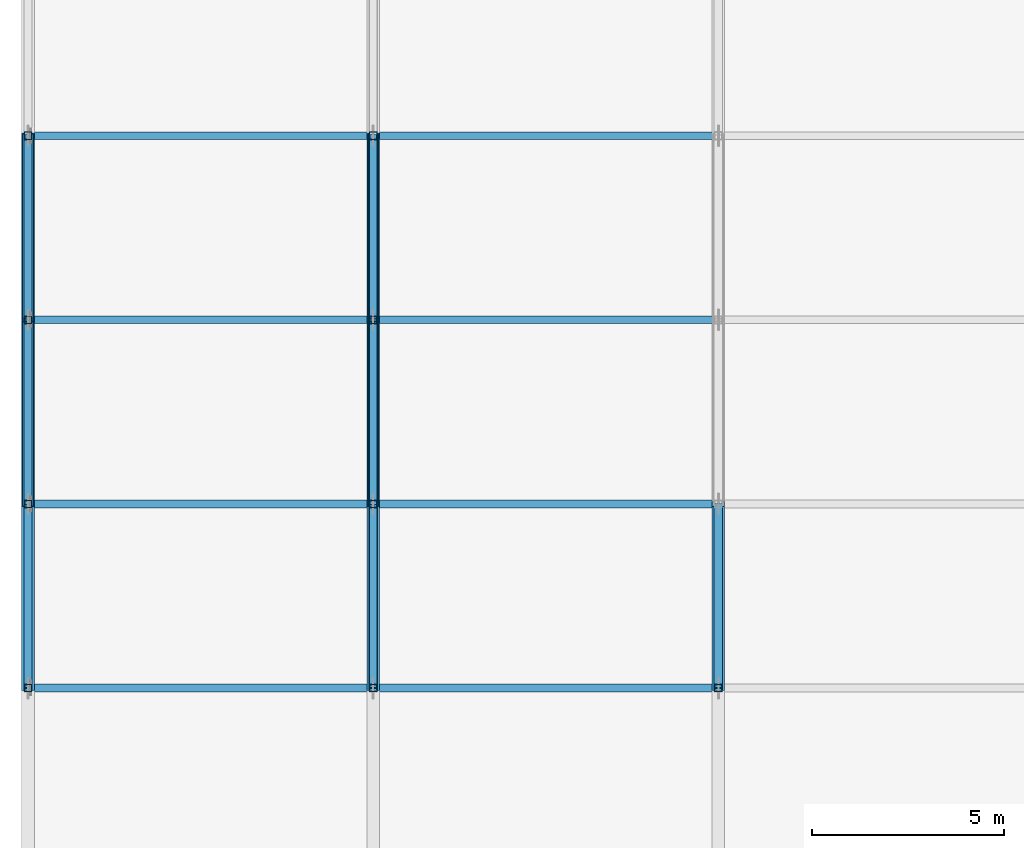
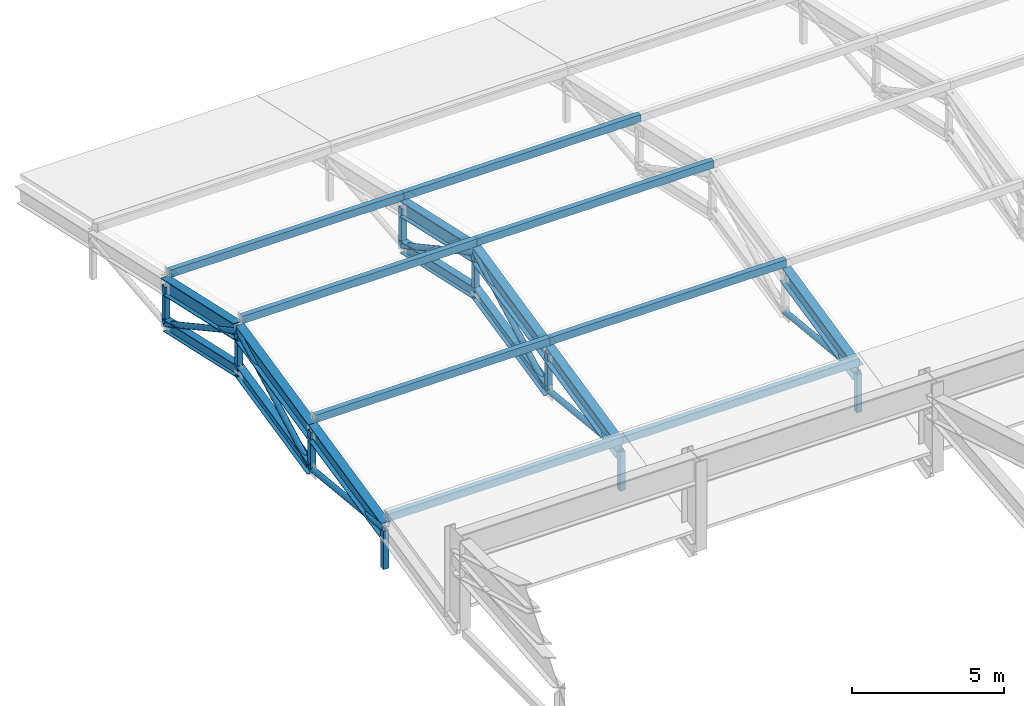
# One storey, part 24 of 151: 35 members.
"""IFC4 building model written with IfcOpenShell, lengths in metres."""

from ifc_helpers import new_model, si_unit, direction, frame, origin, origin_2d, place, context, subcontext, project, spatial, hollow_rectangle, hollow_circle, i_section, extrude, material, material_profile, profile_set, type_object, element, save


model = new_model("IFC4")

# Units and contexts
model_context = context("Model", 3, precision=1e-05, world=origin(), true_north=direction((0.0, 1.0)))
body_context = subcontext(model_context, "Body", "Model", "MODEL_VIEW")
ifc_project = project(units=[si_unit("LENGTHUNIT", "METRE"), si_unit("AREAUNIT", "SQUARE_METRE"), si_unit("VOLUMEUNIT", "CUBIC_METRE"), si_unit("PLANEANGLEUNIT", "RADIAN"), si_unit("MASSUNIT", "GRAM", prefix="KILO")], contexts=[model_context])

# Site, building, storey
site_placement = place(None, origin())
site = spatial("IfcSite", under=ifc_project, at=site_placement, CompositionType="ELEMENT")
building_placement = place(site_placement, origin())
building = spatial("IfcBuilding", under=site, at=building_placement, Name="Celestram Park Convention Centre", CompositionType="ELEMENT")
storey_placement = place(building_placement, frame((0.0, 0.0, 10.800048828125)))
storey = spatial("IfcBuildingStorey", under=building, at=storey_placement, Name="L02", CompositionType="ELEMENT", Elevation=10.800048828125)

# Members
ifc_material_1 = material(Name="Steel ASTM A500 Grade C", Category="steel")
ifc_material_profile_1 = material_profile(ifc_material_1, hollow_circle(Radius=0.109619140625, WallThickness=0.008056640625, at=origin_2d()), Name="CHS219X8")
ifc_profile_set_1 = profile_set([ifc_material_profile_1], Name="Steel ASTM A500 Grade C")
member_type_1 = type_object("IfcMemberType", Name="STR-BRC-CHS219", PredefinedType="BRACE", material=ifc_profile_set_1)
member_1_placement = place(storey_placement, frame((0.0, 112.800048828125, 0.83056640625), z_axis=(0.0, 0.994967300399, -0.100200155373), x_axis=(-1.0, 0.0, 0.0)))
element("IfcMember", 1, at=member_1_placement, inside=storey, type_object=member_type_1, Name="WPV arch web diagonal", PredefinedType="BRACE", context=body_context, shape_type="SweptSolid", body=[
    extrude(hollow_circle(Radius=0.109619140625, WallThickness=0.008056640625, at=origin_2d()), origin(), (0.0, 0.0, 1.0), 4.82421875),
])
member_2_placement = place(storey_placement, frame((0.0, 117.60009765625, 0.34716796875), z_axis=(0.0, 0.878001368363, 0.478658121369), x_axis=(-1.0, 0.0, 0.0)))
element("IfcMember", 2, at=member_2_placement, inside=storey, type_object=member_type_1, Name="WPV arch web diagonal", PredefinedType="BRACE", context=body_context, shape_type="SweptSolid", body=[
    extrude(hollow_circle(Radius=0.109619140625, WallThickness=0.008056640625, at=origin_2d()), origin(), (0.0, 0.0, 1.0), 5.466796875),
])
member_3_placement = place(storey_placement, frame((0.0, 122.39990234375, 2.9638671875), z_axis=(0.0, 0.878011599809, -0.478639353377), x_axis=(-1.0, 0.0, 0.0)))
element("IfcMember", 3, at=member_3_placement, inside=storey, type_object=member_type_1, Name="WPV arch web diagonal", PredefinedType="BRACE", context=body_context, shape_type="SweptSolid", body=[
    extrude(hollow_circle(Radius=0.109619140625, WallThickness=0.008056640625, at=origin_2d()), origin(), (0.0, 0.0, 1.0), 5.467041015625),
])
member_4_placement = place(storey_placement, frame((9.0, 112.800048828125, 0.83056640625), z_axis=(0.0, 0.994967300399, -0.100200155373), x_axis=(-1.0, 0.0, 0.0)))
element("IfcMember", 4, at=member_4_placement, inside=storey, type_object=member_type_1, Name="WPV arch web diagonal", PredefinedType="BRACE", context=body_context, shape_type="SweptSolid", body=[
    extrude(hollow_circle(Radius=0.109619140625, WallThickness=0.008056640625, at=origin_2d()), origin(), (0.0, 0.0, 1.0), 4.82421875),
])
member_5_placement = place(storey_placement, frame((9.0, 117.60009765625, 0.34716796875), z_axis=(0.0, 0.878001368363, 0.478658121369), x_axis=(-1.0, 0.0, 0.0)))
element("IfcMember", 5, at=member_5_placement, inside=storey, type_object=member_type_1, Name="WPV arch web diagonal", PredefinedType="BRACE", context=body_context, shape_type="SweptSolid", body=[
    extrude(hollow_circle(Radius=0.109619140625, WallThickness=0.008056640625, at=origin_2d()), origin(), (0.0, 0.0, 1.0), 5.466796875),
])
member_6_placement = place(storey_placement, frame((9.0, 122.39990234375, 2.9638671875), z_axis=(0.0, 0.878011599809, -0.478639353377), x_axis=(-1.0, 0.0, 0.0)))
element("IfcMember", 6, at=member_6_placement, inside=storey, type_object=member_type_1, Name="WPV arch web diagonal", PredefinedType="BRACE", context=body_context, shape_type="SweptSolid", body=[
    extrude(hollow_circle(Radius=0.109619140625, WallThickness=0.008056640625, at=origin_2d()), origin(), (0.0, 0.0, 1.0), 5.467041015625),
])
member_7_placement = place(storey_placement, frame((18.0, 112.800048828125, 0.83056640625), z_axis=(0.0, 0.994967300399, -0.100200155373), x_axis=(-1.0, 0.0, 0.0)))
element("IfcMember", 7, at=member_7_placement, inside=storey, type_object=member_type_1, Name="WPV arch web diagonal", PredefinedType="BRACE", context=body_context, shape_type="SweptSolid", body=[
    extrude(hollow_circle(Radius=0.109619140625, WallThickness=0.008056640625, at=origin_2d()), origin(), (0.0, 0.0, 1.0), 4.82421875),
])
ifc_material_2 = material(Name="Steel ASTM A992 Grade 50", Category="steel")
ifc_material_profile_2 = material_profile(ifc_material_2, i_section(OverallWidth=0.281982421875, OverallDepth=0.467041015625, WebThickness=0.01220703125, FlangeThickness=0.01953125, at=origin_2d()), Name="W18X86")
ifc_profile_set_2 = profile_set([ifc_material_profile_2], Name="Steel ASTM A992 Grade 50")
member_type_2 = type_object("IfcMemberType", Name="STR-CHD-W18X86", PredefinedType="CHORD", material=ifc_profile_set_2)
member_8_placement = place(storey_placement, frame((0.0, 117.60009765625, 0.34716796875), z_axis=(0.0, 0.976175375741, 0.216983031129), x_axis=(-1.0, 0.0, 0.0)))
element("IfcMember", 8, at=member_8_placement, inside=storey, type_object=member_type_2, Name="WPV arch bottom chord", PredefinedType="CHORD", context=body_context, shape_type="SweptSolid", body=[
    extrude(i_section(OverallWidth=0.281982421875, OverallDepth=0.467041015625, WebThickness=0.01220703125, FlangeThickness=0.01953125, at=origin_2d()), origin(), (0.0, 0.0, 1.0), 4.9169921875),
])
member_9_placement = place(storey_placement, frame((0.0, 122.39990234375, 1.4140625), z_axis=(0.0, 0.976177713309, -0.216972514478), x_axis=(-1.0, 0.0, 0.0)))
element("IfcMember", 9, at=member_9_placement, inside=storey, type_object=member_type_2, Name="WPV arch bottom chord", PredefinedType="CHORD", context=body_context, shape_type="SweptSolid", body=[
    extrude(i_section(OverallWidth=0.281982421875, OverallDepth=0.467041015625, WebThickness=0.01220703125, FlangeThickness=0.01953125, at=origin_2d()), origin(), (0.0, 0.0, 1.0), 4.917236328125),
])
member_10_placement = place(storey_placement, frame((9.0, 117.60009765625, 0.34716796875), z_axis=(0.0, 0.976175375741, 0.216983031129), x_axis=(-1.0, 0.0, 0.0)))
element("IfcMember", 10, at=member_10_placement, inside=storey, type_object=member_type_2, Name="WPV arch bottom chord", PredefinedType="CHORD", context=body_context, shape_type="SweptSolid", body=[
    extrude(i_section(OverallWidth=0.281982421875, OverallDepth=0.467041015625, WebThickness=0.01220703125, FlangeThickness=0.01953125, at=origin_2d()), origin(), (0.0, 0.0, 1.0), 4.9169921875),
])
member_11_placement = place(storey_placement, frame((9.0, 122.39990234375, 1.4140625), z_axis=(0.0, 0.976177713309, -0.216972514478), x_axis=(-1.0, 0.0, 0.0)))
element("IfcMember", 11, at=member_11_placement, inside=storey, type_object=member_type_2, Name="WPV arch bottom chord", PredefinedType="CHORD", context=body_context, shape_type="SweptSolid", body=[
    extrude(i_section(OverallWidth=0.281982421875, OverallDepth=0.467041015625, WebThickness=0.01220703125, FlangeThickness=0.01953125, at=origin_2d()), origin(), (0.0, 0.0, 1.0), 4.917236328125),
])
ifc_material_profile_3 = material_profile(ifc_material_2, i_section(OverallWidth=0.327880859375, OverallDepth=0.6220703125, WebThickness=0.015380859375, FlangeThickness=0.0244140625, at=origin_2d()), Name="W24X131")
ifc_profile_set_3 = profile_set([ifc_material_profile_3], Name="Steel ASTM A992 Grade 50")
member_type_3 = type_object("IfcMemberType", Name="STR-CHD-W24X131", PredefinedType="CHORD", material=ifc_profile_set_3)
member_12_placement = place(storey_placement, frame((0.0, 112.800048828125, 0.83056640625), z_axis=(0.0, 0.976188228429, 0.216925200651), x_axis=(-1.0, 0.0, 0.0)))
element("IfcMember", 12, at=member_12_placement, inside=storey, type_object=member_type_3, Name="WPV arch top chord", PredefinedType="CHORD", context=body_context, shape_type="SweptSolid", body=[
    extrude(i_section(OverallWidth=0.327880859375, OverallDepth=0.6220703125, WebThickness=0.015380859375, FlangeThickness=0.0244140625, at=origin_2d()), origin(), (0.0, 0.0, 1.0), 4.917236328125),
])
member_13_placement = place(storey_placement, frame((0.0, 117.60009765625, 1.897216796875), z_axis=(0.0, 0.976185891854, 0.216935715235), x_axis=(-1.0, 0.0, 0.0)))
element("IfcMember", 13, at=member_13_placement, inside=storey, type_object=member_type_3, Name="WPV arch top chord", PredefinedType="CHORD", context=body_context, shape_type="SweptSolid", body=[
    extrude(i_section(OverallWidth=0.327880859375, OverallDepth=0.6220703125, WebThickness=0.015380859375, FlangeThickness=0.0244140625, at=origin_2d()), origin(), (0.0, 0.0, 1.0), 4.9169921875),
])
for number, where, z_axis, x_axis, name in (
    (14, (0.0, 122.39990234375, 2.9638671875), (0.0, 0.976188228429, -0.216925200651), (-1.0, 0.0, 0.0), "WPV arch top chord"),
    (15, (9.0, 112.800048828125, 0.83056640625), (0.0, 0.976188228429, 0.216925200651), (-1.0, 0.0, 0.0), "WPV arch top chord"),
):
    element("IfcMember", number, at=place(storey_placement, frame(where, z_axis=z_axis, x_axis=x_axis)), inside=storey, type_object=member_type_3, Name=name, PredefinedType="CHORD", context=body_context, shape_type="SweptSolid", body=[
        extrude(i_section(OverallWidth=0.327880859375, OverallDepth=0.6220703125, WebThickness=0.015380859375, FlangeThickness=0.0244140625, at=origin_2d()), origin(), (0.0, 0.0, 1.0), 4.917236328125),
    ])
member_14_placement = place(storey_placement, frame((9.0, 117.60009765625, 1.897216796875), z_axis=(0.0, 0.976185891854, 0.216935715235), x_axis=(-1.0, 0.0, 0.0)))
element("IfcMember", 16, at=member_14_placement, inside=storey, type_object=member_type_3, Name="WPV arch top chord", PredefinedType="CHORD", context=body_context, shape_type="SweptSolid", body=[
    extrude(i_section(OverallWidth=0.327880859375, OverallDepth=0.6220703125, WebThickness=0.015380859375, FlangeThickness=0.0244140625, at=origin_2d()), origin(), (0.0, 0.0, 1.0), 4.9169921875),
])
for number, where, z_axis, x_axis, name in (
    (17, (9.0, 122.39990234375, 2.9638671875), (0.0, 0.976188228429, -0.216925200651), (-1.0, 0.0, 0.0), "WPV arch top chord"),
    (18, (18.0, 112.800048828125, 0.83056640625), (0.0, 0.976188228429, 0.216925200651), (-1.0, 0.0, 0.0), "WPV arch top chord"),
):
    element("IfcMember", number, at=place(storey_placement, frame(where, z_axis=z_axis, x_axis=x_axis)), inside=storey, type_object=member_type_3, Name=name, PredefinedType="CHORD", context=body_context, shape_type="SweptSolid", body=[
        extrude(i_section(OverallWidth=0.327880859375, OverallDepth=0.6220703125, WebThickness=0.015380859375, FlangeThickness=0.0244140625, at=origin_2d()), origin(), (0.0, 0.0, 1.0), 4.917236328125),
    ])
ifc_material_profile_4 = material_profile(ifc_material_1, hollow_rectangle(XDim=0.199951171875, YDim=0.300048828125, WallThickness=0.011962890625, at=origin_2d()), Name="HSS300X200X12")
ifc_profile_set_4 = profile_set([ifc_material_profile_4], Name="Steel ASTM A500 Grade C")
member_type_4 = type_object("IfcMemberType", Name="STR-RFT-HSS300X200", PredefinedType="RAFTER", material=ifc_profile_set_4)
for number, where, z_axis, x_axis, name in (
    (19, (0.080078125, 112.800048828125, 1.291748046875), (1.0, 0.0, 0.0), (0.0, 1.0, 0.0), "WPV roof purlin"),
    (20, (0.080078125, 117.60009765625, 2.358154296875), (1.0, 0.0, 0.0), (0.0, 1.0, 0.0), "WPV roof purlin"),
    (21, (0.080078125, 122.39990234375, 3.425048828125), (1.0, 0.0, 0.0), (0.0, 1.0, 0.0), "WPV roof purlin"),
    (22, (0.080078125, 127.199951171875, 2.358154296875), (1.0, 0.0, 0.0), (0.0, 1.0, 0.0), "WPV roof purlin"),
):
    element("IfcMember", number, at=place(storey_placement, frame(where, z_axis=z_axis, x_axis=x_axis)), inside=storey, type_object=member_type_4, Name=name, PredefinedType="RAFTER", context=body_context, shape_type="SweptSolid", body=[
        extrude(hollow_rectangle(XDim=0.199951171875, YDim=0.300048828125, WallThickness=0.011962890625, at=origin_2d()), origin(), (0.0, 0.0, 1.0), 8.919921875),
    ])
for number, where, z_axis, x_axis, name in (
    (23, (9.0, 112.800048828125, 1.291748046875), (1.0, 0.0, 0.0), (0.0, 1.0, 0.0), "WPV roof purlin"),
    (24, (9.0, 117.60009765625, 2.358154296875), (1.0, 0.0, 0.0), (0.0, 1.0, 0.0), "WPV roof purlin"),
    (25, (9.0, 122.39990234375, 3.425048828125), (1.0, 0.0, 0.0), (0.0, 1.0, 0.0), "WPV roof purlin"),
    (26, (9.0, 127.199951171875, 2.358154296875), (1.0, 0.0, 0.0), (0.0, 1.0, 0.0), "WPV roof purlin"),
):
    element("IfcMember", number, at=place(storey_placement, frame(where, z_axis=z_axis, x_axis=x_axis)), inside=storey, type_object=member_type_4, Name=name, PredefinedType="RAFTER", context=body_context, shape_type="SweptSolid", body=[
        extrude(hollow_rectangle(XDim=0.199951171875, YDim=0.300048828125, WallThickness=0.011962890625, at=origin_2d()), origin(), (0.0, 0.0, 1.0), 9.0),
    ])
ifc_material_profile_5 = material_profile(ifc_material_1, hollow_rectangle(XDim=0.199951171875, YDim=0.199951171875, WallThickness=0.010009765625, at=origin_2d()), Name="HSS200X200X10")
ifc_profile_set_5 = profile_set([ifc_material_profile_5], Name="Steel ASTM A500 Grade C")
member_type_5 = type_object("IfcMemberType", Name="STR-STR-HSS200", PredefinedType="STRUT", material=ifc_profile_set_5)
member_15_placement = place(storey_placement, frame((0.0, 112.800048828125, -0.71923828125), z_axis=(0.0, 0.0, 1.0), x_axis=(1.0, 0.0, 0.0)))
element("IfcMember", 27, at=member_15_placement, inside=storey, type_object=member_type_5, Name="WPV arch vertical strut", PredefinedType="STRUT", context=body_context, shape_type="SweptSolid", body=[
    extrude(hollow_rectangle(XDim=0.199951171875, YDim=0.199951171875, WallThickness=0.010009765625, at=origin_2d()), origin(), (0.0, 0.0, 1.0), 1.5498046875),
])
member_16_placement = place(storey_placement, frame((0.0, 117.60009765625, 0.34716796875), z_axis=(0.0, 0.0, 1.0), x_axis=(1.0, 0.0, 0.0)))
element("IfcMember", 28, at=member_16_placement, inside=storey, type_object=member_type_5, Name="WPV arch vertical strut", PredefinedType="STRUT", context=body_context, shape_type="SweptSolid", body=[
    extrude(hollow_rectangle(XDim=0.199951171875, YDim=0.199951171875, WallThickness=0.010009765625, at=origin_2d()), origin(), (0.0, 0.0, 1.0), 1.550048828125),
])
member_17_placement = place(storey_placement, frame((0.0, 122.39990234375, 1.4140625), z_axis=(0.0, 0.0, 1.0), x_axis=(1.0, 0.0, 0.0)))
element("IfcMember", 29, at=member_17_placement, inside=storey, type_object=member_type_5, Name="WPV arch vertical strut", PredefinedType="STRUT", context=body_context, shape_type="SweptSolid", body=[
    extrude(hollow_rectangle(XDim=0.199951171875, YDim=0.199951171875, WallThickness=0.010009765625, at=origin_2d()), origin(), (0.0, 0.0, 1.0), 1.5498046875),
])
member_18_placement = place(storey_placement, frame((0.0, 127.199951171875, 0.34716796875), z_axis=(0.0, 0.0, 1.0), x_axis=(1.0, 0.0, 0.0)))
element("IfcMember", 30, at=member_18_placement, inside=storey, type_object=member_type_5, Name="WPV arch vertical strut", PredefinedType="STRUT", context=body_context, shape_type="SweptSolid", body=[
    extrude(hollow_rectangle(XDim=0.199951171875, YDim=0.199951171875, WallThickness=0.010009765625, at=origin_2d()), origin(), (0.0, 0.0, 1.0), 1.550048828125),
])
member_19_placement = place(storey_placement, frame((9.0, 112.800048828125, -0.71923828125), z_axis=(0.0, 0.0, 1.0), x_axis=(1.0, 0.0, 0.0)))
element("IfcMember", 31, at=member_19_placement, inside=storey, type_object=member_type_5, Name="WPV arch vertical strut", PredefinedType="STRUT", context=body_context, shape_type="SweptSolid", body=[
    extrude(hollow_rectangle(XDim=0.199951171875, YDim=0.199951171875, WallThickness=0.010009765625, at=origin_2d()), origin(), (0.0, 0.0, 1.0), 1.5498046875),
])
member_20_placement = place(storey_placement, frame((9.0, 117.60009765625, 0.34716796875), z_axis=(0.0, 0.0, 1.0), x_axis=(1.0, 0.0, 0.0)))
element("IfcMember", 32, at=member_20_placement, inside=storey, type_object=member_type_5, Name="WPV arch vertical strut", PredefinedType="STRUT", context=body_context, shape_type="SweptSolid", body=[
    extrude(hollow_rectangle(XDim=0.199951171875, YDim=0.199951171875, WallThickness=0.010009765625, at=origin_2d()), origin(), (0.0, 0.0, 1.0), 1.550048828125),
])
member_21_placement = place(storey_placement, frame((9.0, 122.39990234375, 1.4140625), z_axis=(0.0, 0.0, 1.0), x_axis=(1.0, 0.0, 0.0)))
element("IfcMember", 33, at=member_21_placement, inside=storey, type_object=member_type_5, Name="WPV arch vertical strut", PredefinedType="STRUT", context=body_context, shape_type="SweptSolid", body=[
    extrude(hollow_rectangle(XDim=0.199951171875, YDim=0.199951171875, WallThickness=0.010009765625, at=origin_2d()), origin(), (0.0, 0.0, 1.0), 1.5498046875),
])
member_22_placement = place(storey_placement, frame((9.0, 127.199951171875, 0.34716796875), z_axis=(0.0, 0.0, 1.0), x_axis=(1.0, 0.0, 0.0)))
element("IfcMember", 34, at=member_22_placement, inside=storey, type_object=member_type_5, Name="WPV arch vertical strut", PredefinedType="STRUT", context=body_context, shape_type="SweptSolid", body=[
    extrude(hollow_rectangle(XDim=0.199951171875, YDim=0.199951171875, WallThickness=0.010009765625, at=origin_2d()), origin(), (0.0, 0.0, 1.0), 1.550048828125),
])
member_23_placement = place(storey_placement, frame((18.0, 112.800048828125, -0.71923828125), z_axis=(0.0, 0.0, 1.0), x_axis=(1.0, 0.0, 0.0)))
element("IfcMember", 35, at=member_23_placement, inside=storey, type_object=member_type_5, Name="WPV arch vertical strut", PredefinedType="STRUT", context=body_context, shape_type="SweptSolid", body=[
    extrude(hollow_rectangle(XDim=0.199951171875, YDim=0.199951171875, WallThickness=0.010009765625, at=origin_2d()), origin(), (0.0, 0.0, 1.0), 1.5498046875),
])

save(model, "model.ifc")
